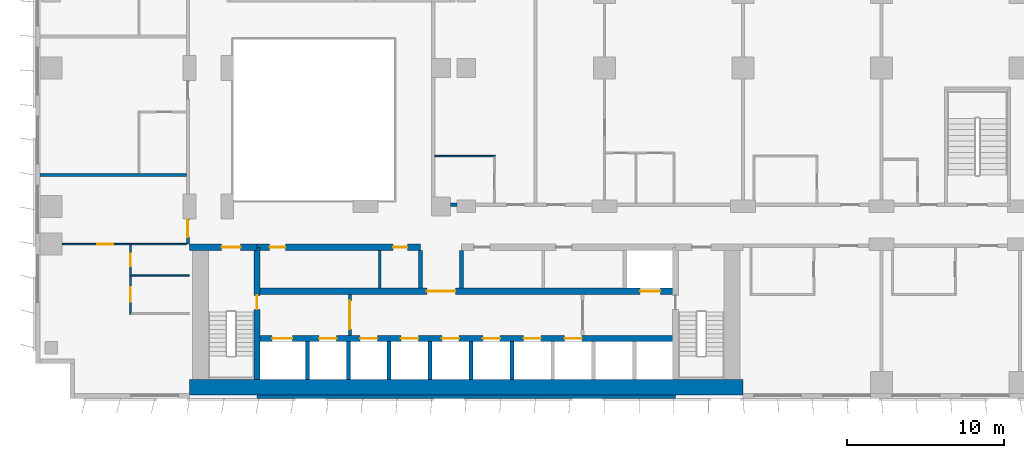
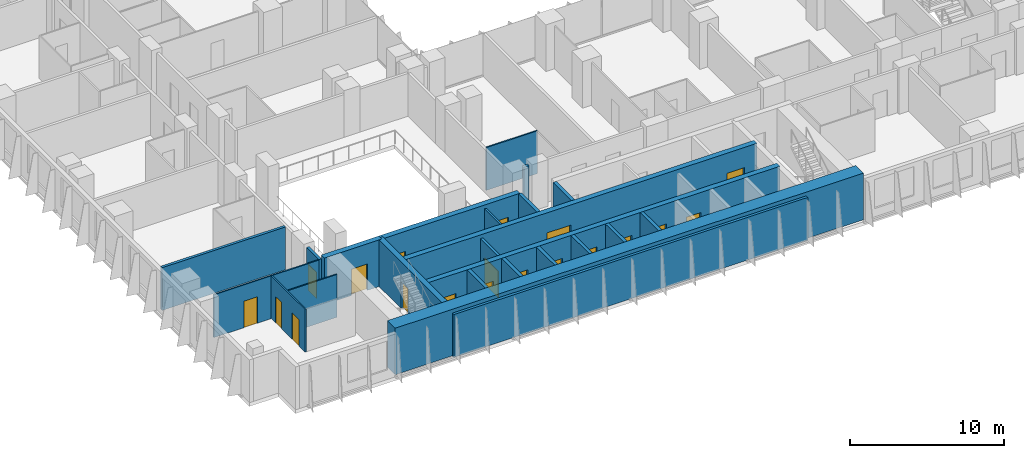
# One storey, part 12 of 24: 24 walls, 19 doors, 19 openings.
"""IFC4 building model written with IfcOpenShell, lengths in metres."""

import ifcopenshell
import ifcopenshell.guid

model = None  # the IFC model being written
_history = None  # IfcOwnerHistory: only IFC2X3 demands one
_inside = {}  # id of a spatial element -> (the spatial element, [elements in it])
_under = {}  # id of a project, library or spatial element -> (it, [spatial elements below it])
_declared = {}  # id of a project -> (the project, [libraries it declares])
_typed = {}  # id of a type object -> (the type object, [elements of that type])
_made_of = {}  # id of a material, layer set ... -> (it, [elements and type objects made of it])


def new_model(schema):
    """Start an empty IFC model of exactly this schema.

    Asked for "IFC4X3", IfcOpenShell would pick the latest addendum, in which some entities
    have other attributes; the version numbers below select the first issue.
    IFC2X3 requires an IfcOwnerHistory on every rooted entity: one is made here for all.
    """
    global model, _history
    if schema == "IFC4X3":
        model = ifcopenshell.file(schema_version=(4, 3, 0, 0))
    else:
        model = ifcopenshell.file(schema=schema)
    _inside.clear()
    _under.clear()
    _declared.clear()
    _typed.clear()
    _made_of.clear()
    _history = None
    if model.schema == "IFC2X3":
        org = make("IfcOrganization", Name="unknown")
        user = make(
            "IfcPersonAndOrganization",
            ThePerson=make("IfcPerson", FamilyName="unknown"),
            TheOrganization=org,
        )
        app = make(
            "IfcApplication",
            ApplicationDeveloper=org,
            Version="unknown",
            ApplicationFullName="unknown",
            ApplicationIdentifier="unknown",
        )
        _history = make(
            "IfcOwnerHistory",
            OwningUser=user,
            OwningApplication=app,
            ChangeAction="ADDED",
            CreationDate=0,
        )
    return model


def make(cls, **values):
    """One entity of the class cls with the attributes given. An attribute that is None is left unset."""
    return model.create_entity(
        cls, **{name: value for name, value in values.items() if value is not None}
    )


def rooted(cls, **values):
    """An entity with a GlobalId (a new one), such as an element, a storey or a relation."""
    return make(cls, GlobalId=ifcopenshell.guid.new(), OwnerHistory=_history, **values)


def si_unit(unit_type, name, prefix=None):
    """IfcSIUnit, for example si_unit("LENGTHUNIT", "METRE", prefix="MILLI")."""
    return make("IfcSIUnit", UnitType=unit_type, Prefix=prefix, Name=name)


def assignment(units):
    """IfcUnitAssignment: the units of a project."""
    return None if units is None else make("IfcUnitAssignment", Units=units)


def point(xyz):
    """IfcCartesianPoint."""
    return None if xyz is None else make("IfcCartesianPoint", Coordinates=xyz)


def direction(xyz):
    """IfcDirection."""
    return None if xyz is None else make("IfcDirection", DirectionRatios=xyz)


def frame(location, z_axis=None, x_axis=None):
    """IfcAxis2Placement3D, a coordinate frame: its origin and axes. An axis left out is left unset."""
    return make(
        "IfcAxis2Placement3D",
        Location=point(location),
        Axis=direction(z_axis),
        RefDirection=direction(x_axis),
    )


def frame_2d(location, x_axis=None):
    """IfcAxis2Placement2D, a coordinate frame in the plane: its origin and x axis."""
    return make(
        "IfcAxis2Placement2D", Location=point(location), RefDirection=direction(x_axis)
    )


def origin():
    """The frame at (0, 0, 0) with its axes left unset."""
    return frame((0.0, 0.0, 0.0))


def place(relative_to, where):
    """IfcLocalPlacement: puts the frame where relative to a parent placement (None: the world)."""
    return make(
        "IfcLocalPlacement", PlacementRelTo=relative_to, RelativePlacement=where
    )


def context(
    kind, dimensions, precision=None, world=None, true_north=None, identifier=None
):
    """IfcGeometricRepresentationContext, for example the 3D "Model" context."""
    return make(
        "IfcGeometricRepresentationContext",
        ContextIdentifier=identifier,
        ContextType=kind,
        CoordinateSpaceDimension=dimensions,
        Precision=precision,
        WorldCoordinateSystem=world,
        TrueNorth=true_north,
    )


def subcontext(parent, identifier, kind, view, scale=None):
    """IfcGeometricRepresentationSubContext, for example "Body" below "Model"."""
    return make(
        "IfcGeometricRepresentationSubContext",
        ContextIdentifier=identifier,
        ContextType=kind,
        ParentContext=parent,
        TargetScale=scale,
        TargetView=view,
    )


def project(units=None, contexts=None):
    """IfcProject with its units and contexts."""
    return rooted(
        "IfcProject",
        Name="project",
        RepresentationContexts=contexts,
        UnitsInContext=assignment(units),
    )


def spatial(cls, under=None, at=None, **own):
    """A site, building, storey or space (cls), placed at a placement, below another one or the project."""
    s = rooted(cls, ObjectPlacement=at, **own)
    if under is not None:
        _under.setdefault(under.id(), (under, []))[1].append(s)
    return s


def profile(cls, at=None, kind="AREA", **sizes):
    """A parametric profile (cls). Its sizes go by their IFC names, for example OverallWidth=200.0."""
    return make(cls, ProfileType=kind, Position=at, **sizes)


def rectangle(**sizes):
    """IfcRectangleProfileDef."""
    return profile("IfcRectangleProfileDef", **sizes)


def extrude(swept, where, along, depth):
    """IfcExtrudedAreaSolid: the profile swept, set in the frame where, extruded along a direction by depth."""
    return make(
        "IfcExtrudedAreaSolid",
        SweptArea=swept,
        Position=where,
        ExtrudedDirection=direction(along),
        Depth=depth,
    )


def shape(context_of_items, identifier, shape_type, items):
    """IfcShapeRepresentation: the items that make up one representation, for example the "Body"."""
    return make(
        "IfcShapeRepresentation",
        ContextOfItems=context_of_items,
        RepresentationIdentifier=identifier,
        RepresentationType=shape_type,
        Items=items,
    )


def material(Name=None, Category=None):
    """IfcMaterial."""
    return make("IfcMaterial", Name=Name, Category=Category)


def layer(
    of_material, thickness, ventilated=None, Name=None, Category=None, Priority=None
):
    """IfcMaterialLayer: one layer of a wall or slab, of a material (None: an air gap)."""
    return make(
        "IfcMaterialLayer",
        Material=of_material,
        LayerThickness=thickness,
        IsVentilated=ventilated,
        Name=Name,
        Category=Category,
        Priority=Priority,
    )


def layer_set(layers, Name=None):
    """IfcMaterialLayerSet."""
    return make("IfcMaterialLayerSet", MaterialLayers=layers, LayerSetName=Name)


def made_of(thing, what):
    """Note that an element or type object is made of a material, layer set ...; save() writes the relation."""
    if what is not None:
        _made_of.setdefault(what.id(), (what, []))[1].append(thing)
    return thing


def type_object(cls, material=None, **own):
    """A type object (cls), such as IfcWallType, which elements share."""
    return made_of(rooted(cls, **own), material)


def element(
    cls,
    number,
    at=None,
    inside=None,
    cuts=None,
    type_object=None,
    material=None,
    context=None,
    identifier="Body",
    shape_type=None,
    held_by="IfcProductDefinitionShape",
    body=None,
    shapes=None,
    **own,
):
    """One element of the class cls, such as IfcWall. Its Tag is "e" and its number.

    at: its placement. inside: the storey or other place that contains it. cuts: it is an
    opening in that element (IfcRelVoidsElement). A single representation is given by context,
    identifier, shape_type and body (its items); several are given by shapes. held_by: the class
    of the entity that holds the representations. save() writes the other relations.
    """
    e = rooted(cls, Tag="e%d" % number, ObjectPlacement=at, **own)
    if body is not None:
        shapes = [shape(context, identifier, shape_type, body)]
    if shapes is not None:
        e.Representation = make(held_by, Representations=shapes)
    if inside is not None:
        _inside.setdefault(inside.id(), (inside, []))[1].append(e)
    if cuts is not None:
        rooted(
            "IfcRelVoidsElement", RelatingBuildingElement=cuts, RelatedOpeningElement=e
        )
    if type_object is not None:
        _typed.setdefault(type_object.id(), (type_object, []))[1].append(e)
    return made_of(e, material)


def fill(opening, filler):
    """IfcRelFillsElement: the door or window that sits in an opening."""
    return rooted(
        "IfcRelFillsElement",
        RelatingOpeningElement=opening,
        RelatedBuildingElement=filler,
    )


def aggregate(whole, parts):
    """IfcRelAggregates: a whole, such as a stair, and the parts it consists of."""
    return rooted("IfcRelAggregates", RelatingObject=whole, RelatedObjects=parts)


def save(model, path):
    """Write the relations noted so far, then the file.

    IfcRelAggregates (storeys below a building ...), IfcRelContainedInSpatialStructure (elements
    in a storey), IfcRelDefinesByType, IfcRelAssociatesMaterial and IfcRelDeclares: one each for
    every whole, place, type object, material and project.
    """
    for whole, parts in _under.values():
        aggregate(whole, parts)
    for where, things in _inside.values():
        rooted(
            "IfcRelContainedInSpatialStructure",
            RelatedElements=things,
            RelatingStructure=where,
        )
    for kind, things in _typed.values():
        rooted("IfcRelDefinesByType", RelatedObjects=things, RelatingType=kind)
    for what, things in _made_of.values():
        rooted("IfcRelAssociatesMaterial", RelatedObjects=things, RelatingMaterial=what)
    for by, libraries in _declared.values():
        rooted("IfcRelDeclares", RelatingContext=by, RelatedDefinitions=libraries)
    model.write(path)


model = new_model("IFC4")

# Units and contexts
model_context = context("Model", 3, precision=1e-05, world=origin(), true_north=direction((0.0, 1.0)))
body_context = subcontext(model_context, "Body", "Model", "MODEL_VIEW")
ifc_project = project(units=[si_unit("LENGTHUNIT", "METRE"), si_unit("AREAUNIT", "SQUARE_METRE"), si_unit("VOLUMEUNIT", "CUBIC_METRE"), si_unit("PLANEANGLEUNIT", "RADIAN"), si_unit("MASSUNIT", "GRAM", prefix="KILO")], contexts=[model_context])

# Site, building, storey
site_placement = place(None, origin())
site = spatial("IfcSite", under=ifc_project, at=site_placement, CompositionType="ELEMENT")
building_placement = place(site_placement, origin())
building = spatial("IfcBuilding", under=site, at=building_placement, Name="Kemantara Hotel Tower", CompositionType="ELEMENT")
storey_placement = place(building_placement, frame((0.0, 0.0, 41.39990234375)))
storey = spatial("IfcBuildingStorey", under=building, at=storey_placement, Name="L08", CompositionType="ELEMENT", Elevation=41.39990234375)

# Walls
ifc_material_1 = material(Name="Bronze anodised aluminium cladding on insulated steel stud wall", Category="steel")
ifc_layer_1 = layer(ifc_material_1, 0.199951171875)
ifc_layer_set_1 = layer_set([ifc_layer_1], Name="Bronze anodised aluminium cladding on insulated steel stud wall")
wall_type_1 = type_object("IfcWallType", Name="BRONZE METAL-CLAD EXTERNAL WALL 200", PredefinedType="STANDARD", material=ifc_layer_set_1)
wall_1_placement = place(storey_placement, frame((14.10009765625, 0.10009765625, 0.0), z_axis=(0.0, 0.0, 1.0), x_axis=(1.0, 0.0, 0.0)))
element("IfcWall", 1, at=wall_1_placement, inside=storey, type_object=wall_type_1, Name="EXTERNAL WALL L08 T1-R01-2", PredefinedType="STANDARD", context=body_context, shape_type="SweptSolid", body=[
    extrude(rectangle(XDim=26.599853515625, YDim=0.199951171875, at=frame_2d((13.2998046875, 0.0))), origin(), (0.0, 0.0, 1.0), 3.400146484375),
])
ifc_material_2 = material(Name="Concrete fc 70 MPa", Category="concrete")
ifc_layer_2 = layer(ifc_material_2, 1.0)
ifc_layer_set_2 = layer_set([ifc_layer_2], Name="Concrete fc 70 MPa")
wall_type_2 = type_object("IfcWallType", Name="CORE WALL 1000 FC70", PredefinedType="SHEAR", material=ifc_layer_set_2)
wall_2_placement = place(storey_placement, frame((9.800048828125, 0.699951171875, 0.0), z_axis=(0.0, 0.0, 1.0), x_axis=(1.0, 0.0, 0.0)))
element("IfcWall", 2, at=wall_2_placement, inside=storey, type_object=wall_type_2, Name="CORE WALL CW-S", PredefinedType="SHEAR", context=body_context, shape_type="SweptSolid", body=[
    extrude(rectangle(XDim=35.199951171875, YDim=1.0, at=frame_2d((17.60009765625, 0.0))), origin(), (0.0, 0.0, 1.0), 3.7001953125),
])
ifc_layer_3 = layer(ifc_material_2, 0.25)
ifc_layer_set_3 = layer_set([ifc_layer_3], Name="Concrete fc 70 MPa")
wall_type_3 = type_object("IfcWallType", Name="CORE WALL 250 FC70", PredefinedType="SHEAR", material=ifc_layer_set_3)
for number, where, z_axis, x_axis, name in (
    (3, (17.300048828125, 1.199951171875, 0.0), (0.0, 0.0, 1.0), (0.0, 1.0, 0.0), "CORE WALL CW-DS17.3"),
    (4, (19.89990234375, 1.199951171875, 0.0), (0.0, 0.0, 1.0), (0.0, 1.0, 0.0), "CORE WALL CW-DS19.9"),
    (5, (22.5, 1.199951171875, 0.0), (0.0, 0.0, 1.0), (0.0, 1.0, 0.0), "CORE WALL CW-DS22.5"),
    (6, (25.10009765625, 1.199951171875, 0.0), (0.0, 0.0, 1.0), (0.0, 1.0, 0.0), "CORE WALL CW-DS25.1"),
    (7, (27.699951171875, 1.199951171875, 0.0), (0.0, 0.0, 1.0), (0.0, 1.0, 0.0), "CORE WALL CW-DS27.7"),
    (8, (30.300048828125, 1.199951171875, 0.0), (0.0, 0.0, 1.0), (0.0, 1.0, 0.0), "CORE WALL CW-DS30.3"),
):
    element("IfcWall", number, at=place(storey_placement, frame(where, z_axis=z_axis, x_axis=x_axis)), inside=storey, type_object=wall_type_3, Name=name, PredefinedType="SHEAR", context=body_context, shape_type="SweptSolid", body=[
        extrude(rectangle(XDim=2.400146484375, YDim=0.25, at=frame_2d((1.2001953125, 0.0))), origin(), (0.0, 0.0, 1.0), 3.7001953125),
    ])
for number, where, z_axis, x_axis, name in (
    (9, (24.5, 7.0, 0.0), (0.0, 0.0, 1.0), (0.0, 1.0, 0.0), "CORE WALL CW-DN24.5"),
    (10, (27.10009765625, 7.0, 0.0), (0.0, 0.0, 1.0), (0.0, 1.0, 0.0), "CORE WALL CW-DN27.1"),
):
    element("IfcWall", number, at=place(storey_placement, frame(where, z_axis=z_axis, x_axis=x_axis)), inside=storey, type_object=wall_type_3, Name=name, PredefinedType="SHEAR", context=body_context, shape_type="SweptSolid", body=[
        extrude(rectangle(XDim=2.39990234375, YDim=0.25, at=frame_2d((1.199951171875, 0.0))), origin(), (0.0, 0.0, 1.0), 3.7001953125),
    ])

# Wall, opening, door
ifc_layer_4 = layer(ifc_material_2, 0.39990234375)
ifc_layer_set_4 = layer_set([ifc_layer_4], Name="Concrete fc 70 MPa")
wall_type_4 = type_object("IfcWallType", Name="CORE WALL 400 FC70", PredefinedType="SHEAR", material=ifc_layer_set_4)
wall_3_placement = place(storey_placement, frame((9.800048828125, 9.60009765625, 0.0), z_axis=(0.0, 0.0, 1.0), x_axis=(1.0, 0.0, 0.0)))
wall_3 = element("IfcWall", 11, at=wall_3_placement, inside=storey, type_object=wall_type_4, Name="CORE WALL CW-N1", PredefinedType="SHEAR", context=body_context, shape_type="SweptSolid", body=[
    extrude(rectangle(XDim=4.300048828125, YDim=0.39990234375, at=frame_2d((2.14990234375, 0.0))), origin(), (0.0, 0.0, 1.0), 3.7001953125),
])
opening_1_placement = place(wall_3_placement, frame((2.050048828125, 0.0, 0.0)))
opening_1 = element("IfcOpeningElement", 12, at=opening_1_placement, cuts=wall_3, Name="Opening C08-ST1-C", PredefinedType="OPENING", context=body_context, shape_type="SweptSolid", body=[
    extrude(rectangle(XDim=1.199951171875, YDim=2.10009765625, at=frame_2d((0.60009765625, 1.050048828125))), frame((0.0, 0.2099609375, 0.0), z_axis=(0.0, -1.0, 0.0), x_axis=(1.0, 0.0, 0.0)), (0.0, 0.0, 1.0), 0.419921875),
])
ifc_material_3 = material(Name="Steel fire door", Category="steel")
door_type_1 = type_object("IfcDoorType", Name="Fire door FD90 1200 x 2100", OperationType="NOTDEFINED", PredefinedType="DOOR", material=ifc_material_3)
door_1_placement = place(opening_1_placement, frame((1.199951171875, 0.0, 0.0), z_axis=(0.0, 0.0, 1.0), x_axis=(-1.0, 0.0, 0.0)))
door_1 = element("IfcDoor", 13, at=door_1_placement, inside=storey, type_object=door_type_1, Name="Stair ST1 door to corridor", OperationType="SINGLE_SWING_LEFT", OverallHeight=2.10009765625, OverallWidth=1.199951171875, PredefinedType="DOOR", context=body_context, shape_type="SweptSolid", body=[
    extrude(rectangle(XDim=1.199951171875, YDim=2.10009765625, at=frame_2d((0.60009765625, 1.050048828125))), frame((0.0, 0.02490234375, 0.0), z_axis=(0.0, -1.0, 0.0), x_axis=(1.0, 0.0, 0.0)), (0.0, 0.0, 1.0), 0.050048828125),
])
fill(opening_1, door_1)

# Wall, openings, doors
wall_4_placement = place(storey_placement, frame((14.10009765625, 9.60009765625, 0.0), z_axis=(0.0, 0.0, 1.0), x_axis=(1.0, 0.0, 0.0)))
wall_4 = element("IfcWall", 14, at=wall_4_placement, inside=storey, type_object=wall_type_4, Name="CORE WALL CW-NN1", PredefinedType="SHEAR", context=body_context, shape_type="SweptSolid", body=[
    extrude(rectangle(XDim=10.39990234375, YDim=0.39990234375, at=frame_2d((5.199951171875, 0.0))), origin(), (0.0, 0.0, 1.0), 3.7001953125),
])
opening_2_placement = place(wall_4_placement, frame((0.800048828125, 0.0, 0.0)))
opening_2 = element("IfcOpeningElement", 15, at=opening_2_placement, cuts=wall_4, Name="Opening C08-R-NW1", PredefinedType="OPENING", context=body_context, shape_type="SweptSolid", body=[
    extrude(rectangle(XDim=1.0, YDim=2.10009765625, at=frame_2d((0.5, 1.050048828125))), frame((0.0, 0.2099609375, 0.0), z_axis=(0.0, -1.0, 0.0), x_axis=(1.0, 0.0, 0.0)), (0.0, 0.0, 1.0), 0.419921875),
])
opening_3_placement = place(wall_4_placement, frame((8.64990234375, 0.0, 0.0)))
opening_3 = element("IfcOpeningElement", 16, at=opening_3_placement, cuts=wall_4, Name="Opening C08-R-NW2", PredefinedType="OPENING", context=body_context, shape_type="SweptSolid", body=[
    extrude(rectangle(XDim=0.89990234375, YDim=2.10009765625, at=frame_2d((0.449951171875, 1.050048828125))), frame((0.0, 0.2099609375, 0.0), z_axis=(0.0, -1.0, 0.0), x_axis=(1.0, 0.0, 0.0)), (0.0, 0.0, 1.0), 0.419921875),
])
door_type_2 = type_object("IfcDoorType", Name="Fire door FD30S 1000 x 2100", OperationType="NOTDEFINED", PredefinedType="DOOR", material=ifc_material_3)
door_2_placement = place(opening_2_placement, frame((1.0, 0.0, 0.0), z_axis=(0.0, 0.0, 1.0), x_axis=(-1.0, 0.0, 0.0)))
door_2 = element("IfcDoor", 17, at=door_2_placement, inside=storey, type_object=door_type_2, Name="Linen Store door", OperationType="SINGLE_SWING_RIGHT", OverallHeight=2.10009765625, OverallWidth=1.0, PredefinedType="DOOR", context=body_context, shape_type="SweptSolid", body=[
    extrude(rectangle(XDim=1.0, YDim=2.10009765625, at=frame_2d((0.5, 1.050048828125))), frame((0.0, 0.02490234375, 0.0), z_axis=(0.0, -1.0, 0.0), x_axis=(1.0, 0.0, 0.0)), (0.0, 0.0, 1.0), 0.050048828125),
])
fill(opening_2, door_2)
door_type_3 = type_object("IfcDoorType", Name="Fire door FD60 900 x 2100", OperationType="NOTDEFINED", PredefinedType="DOOR", material=ifc_material_3)
door_3_placement = place(opening_3_placement, frame((0.89990234375, 0.0, 0.0), z_axis=(0.0, 0.0, 1.0), x_axis=(-1.0, 0.0, 0.0)))
door_3 = element("IfcDoor", 18, at=door_3_placement, inside=storey, type_object=door_type_3, Name="It Equipment Room door", OperationType="SINGLE_SWING_LEFT", OverallHeight=2.10009765625, OverallWidth=0.89990234375, PredefinedType="DOOR", context=body_context, shape_type="SweptSolid", body=[
    extrude(rectangle(XDim=0.89990234375, YDim=2.10009765625, at=frame_2d((0.449951171875, 1.050048828125))), frame((0.0, 0.02490234375, 0.0), z_axis=(0.0, -1.0, 0.0), x_axis=(1.0, 0.0, 0.0)), (0.0, 0.0, 1.0), 0.050048828125),
])
fill(opening_3, door_3)

wall_5_placement = place(storey_placement, frame((14.10009765625, 3.800048828125, 0.0), z_axis=(0.0, 0.0, 1.0), x_axis=(1.0, 0.0, 0.0)))
wall_5 = element("IfcWall", 19, at=wall_5_placement, inside=storey, type_object=wall_type_4, Name="CORE WALL CW-L1", PredefinedType="SHEAR", context=body_context, shape_type="SweptSolid", body=[
    extrude(rectangle(XDim=26.599853515625, YDim=0.39990234375, at=frame_2d((13.2998046875, 0.0))), origin(), (0.0, 0.0, 1.0), 3.7001953125),
])
opening_4_placement = place(wall_5_placement, frame((0.949951171875, 0.0, 0.0)))
opening_4 = element("IfcOpeningElement", 20, at=opening_4_placement, cuts=wall_5, Name="Opening C08-LD-FF1", PredefinedType="OPENING", context=body_context, shape_type="SweptSolid", body=[
    extrude(rectangle(XDim=1.300048828125, YDim=2.10009765625, at=frame_2d((0.64990234375, 1.050048828125))), frame((0.0, 0.2099609375, 0.0), z_axis=(0.0, -1.0, 0.0), x_axis=(1.0, 0.0, 0.0)), (0.0, 0.0, 1.0), 0.419921875),
])
opening_5_placement = place(wall_5_placement, frame((3.949951171875, 0.0, 0.0)))
opening_5 = element("IfcOpeningElement", 21, at=opening_5_placement, cuts=wall_5, Name="Opening C08-LD-SV1", PredefinedType="OPENING", context=body_context, shape_type="SweptSolid", body=[
    extrude(rectangle(XDim=1.10009765625, YDim=2.10009765625, at=frame_2d((0.550048828125, 1.050048828125))), frame((0.0, 0.2099609375, 0.0), z_axis=(0.0, -1.0, 0.0), x_axis=(1.0, 0.0, 0.0)), (0.0, 0.0, 1.0), 0.419921875),
])
opening_6_placement = place(wall_5_placement, frame((6.550048828125, 0.0, 0.0)))
opening_6 = element("IfcOpeningElement", 22, at=opening_6_placement, cuts=wall_5, Name="Opening C08-LD-SV2", PredefinedType="OPENING", context=body_context, shape_type="SweptSolid", body=[
    extrude(rectangle(XDim=1.10009765625, YDim=2.10009765625, at=frame_2d((0.550048828125, 1.050048828125))), frame((0.0, 0.2099609375, 0.0), z_axis=(0.0, -1.0, 0.0), x_axis=(1.0, 0.0, 0.0)), (0.0, 0.0, 1.0), 0.419921875),
])
opening_7_placement = place(wall_5_placement, frame((9.14990234375, 0.0, 0.0)))
opening_7 = element("IfcOpeningElement", 23, at=opening_7_placement, cuts=wall_5, Name="Opening C08-LD-SV3", PredefinedType="OPENING", context=body_context, shape_type="SweptSolid", body=[
    extrude(rectangle(XDim=1.10009765625, YDim=2.10009765625, at=frame_2d((0.550048828125, 1.050048828125))), frame((0.0, 0.2099609375, 0.0), z_axis=(0.0, -1.0, 0.0), x_axis=(1.0, 0.0, 0.0)), (0.0, 0.0, 1.0), 0.419921875),
])
opening_8_placement = place(wall_5_placement, frame((11.75, 0.0, 0.0)))
opening_8 = element("IfcOpeningElement", 24, at=opening_8_placement, cuts=wall_5, Name="Opening C08-LD-LR1", PredefinedType="OPENING", context=body_context, shape_type="SweptSolid", body=[
    extrude(rectangle(XDim=1.10009765625, YDim=2.10009765625, at=frame_2d((0.550048828125, 1.050048828125))), frame((0.0, 0.2099609375, 0.0), z_axis=(0.0, -1.0, 0.0), x_axis=(1.0, 0.0, 0.0)), (0.0, 0.0, 1.0), 0.419921875),
])
opening_9_placement = place(wall_5_placement, frame((14.35009765625, 0.0, 0.0)))
opening_9 = element("IfcOpeningElement", 25, at=opening_9_placement, cuts=wall_5, Name="Opening C08-LD-LR2", PredefinedType="OPENING", context=body_context, shape_type="SweptSolid", body=[
    extrude(rectangle(XDim=1.10009765625, YDim=2.10009765625, at=frame_2d((0.550048828125, 1.050048828125))), frame((0.0, 0.2099609375, 0.0), z_axis=(0.0, -1.0, 0.0), x_axis=(1.0, 0.0, 0.0)), (0.0, 0.0, 1.0), 0.419921875),
])
opening_10_placement = place(wall_5_placement, frame((16.949951171875, 0.0, 0.0)))
opening_10 = element("IfcOpeningElement", 26, at=opening_10_placement, cuts=wall_5, Name="Opening C08-LD-LR3", PredefinedType="OPENING", context=body_context, shape_type="SweptSolid", body=[
    extrude(rectangle(XDim=1.10009765625, YDim=2.10009765625, at=frame_2d((0.550048828125, 1.050048828125))), frame((0.0, 0.2099609375, 0.0), z_axis=(0.0, -1.0, 0.0), x_axis=(1.0, 0.0, 0.0)), (0.0, 0.0, 1.0), 0.419921875),
])
opening_11_placement = place(wall_5_placement, frame((19.550048828125, 0.0, 0.0)))
opening_11 = element("IfcOpeningElement", 27, at=opening_11_placement, cuts=wall_5, Name="Opening C08-LD-LR4", PredefinedType="OPENING", context=body_context, shape_type="SweptSolid", body=[
    extrude(rectangle(XDim=1.10009765625, YDim=2.10009765625, at=frame_2d((0.550048828125, 1.050048828125))), frame((0.0, 0.2099609375, 0.0), z_axis=(0.0, -1.0, 0.0), x_axis=(1.0, 0.0, 0.0)), (0.0, 0.0, 1.0), 0.419921875),
])
ifc_material_4 = material(Name="Stainless steel lift door", Category="steel")
door_type_4 = type_object("IfcDoorType", Name="Lift landing door 1100 x 2100 FD60", OperationType="DOUBLE_DOOR_SLIDING", PredefinedType="DOOR", material=ifc_material_4)
door_4_placement = place(opening_5_placement, origin())
door_4 = element("IfcDoor", 28, at=door_4_placement, inside=storey, type_object=door_type_4, Name="Lift SV1 landing door", OperationType="DOUBLE_DOOR_SLIDING", OverallHeight=2.10009765625, OverallWidth=1.10009765625, PredefinedType="DOOR", context=body_context, shape_type="SweptSolid", body=[
    extrude(rectangle(XDim=1.10009765625, YDim=2.10009765625, at=frame_2d((0.550048828125, 1.050048828125))), frame((0.0, 0.02490234375, 0.0), z_axis=(0.0, -1.0, 0.0), x_axis=(1.0, 0.0, 0.0)), (0.0, 0.0, 1.0), 0.050048828125),
])
fill(opening_5, door_4)
door_5_placement = place(opening_6_placement, origin())
door_5 = element("IfcDoor", 29, at=door_5_placement, inside=storey, type_object=door_type_4, Name="Lift SV2 landing door", OperationType="DOUBLE_DOOR_SLIDING", OverallHeight=2.10009765625, OverallWidth=1.10009765625, PredefinedType="DOOR", context=body_context, shape_type="SweptSolid", body=[
    extrude(rectangle(XDim=1.10009765625, YDim=2.10009765625, at=frame_2d((0.550048828125, 1.050048828125))), frame((0.0, 0.02490234375, 0.0), z_axis=(0.0, -1.0, 0.0), x_axis=(1.0, 0.0, 0.0)), (0.0, 0.0, 1.0), 0.050048828125),
])
fill(opening_6, door_5)
door_6_placement = place(opening_7_placement, origin())
door_6 = element("IfcDoor", 30, at=door_6_placement, inside=storey, type_object=door_type_4, Name="Lift SV3 landing door", OperationType="DOUBLE_DOOR_SLIDING", OverallHeight=2.10009765625, OverallWidth=1.10009765625, PredefinedType="DOOR", context=body_context, shape_type="SweptSolid", body=[
    extrude(rectangle(XDim=1.10009765625, YDim=2.10009765625, at=frame_2d((0.550048828125, 1.050048828125))), frame((0.0, 0.02490234375, 0.0), z_axis=(0.0, -1.0, 0.0), x_axis=(1.0, 0.0, 0.0)), (0.0, 0.0, 1.0), 0.050048828125),
])
fill(opening_7, door_6)
door_7_placement = place(opening_8_placement, origin())
door_7 = element("IfcDoor", 31, at=door_7_placement, inside=storey, type_object=door_type_4, Name="Lift LR1 landing door", OperationType="DOUBLE_DOOR_SLIDING", OverallHeight=2.10009765625, OverallWidth=1.10009765625, PredefinedType="DOOR", context=body_context, shape_type="SweptSolid", body=[
    extrude(rectangle(XDim=1.10009765625, YDim=2.10009765625, at=frame_2d((0.550048828125, 1.050048828125))), frame((0.0, 0.02490234375, 0.0), z_axis=(0.0, -1.0, 0.0), x_axis=(1.0, 0.0, 0.0)), (0.0, 0.0, 1.0), 0.050048828125),
])
fill(opening_8, door_7)
door_8_placement = place(opening_9_placement, origin())
door_8 = element("IfcDoor", 32, at=door_8_placement, inside=storey, type_object=door_type_4, Name="Lift LR2 landing door", OperationType="DOUBLE_DOOR_SLIDING", OverallHeight=2.10009765625, OverallWidth=1.10009765625, PredefinedType="DOOR", context=body_context, shape_type="SweptSolid", body=[
    extrude(rectangle(XDim=1.10009765625, YDim=2.10009765625, at=frame_2d((0.550048828125, 1.050048828125))), frame((0.0, 0.02490234375, 0.0), z_axis=(0.0, -1.0, 0.0), x_axis=(1.0, 0.0, 0.0)), (0.0, 0.0, 1.0), 0.050048828125),
])
fill(opening_9, door_8)
door_9_placement = place(opening_10_placement, origin())
door_9 = element("IfcDoor", 33, at=door_9_placement, inside=storey, type_object=door_type_4, Name="Lift LR3 landing door", OperationType="DOUBLE_DOOR_SLIDING", OverallHeight=2.10009765625, OverallWidth=1.10009765625, PredefinedType="DOOR", context=body_context, shape_type="SweptSolid", body=[
    extrude(rectangle(XDim=1.10009765625, YDim=2.10009765625, at=frame_2d((0.550048828125, 1.050048828125))), frame((0.0, 0.02490234375, 0.0), z_axis=(0.0, -1.0, 0.0), x_axis=(1.0, 0.0, 0.0)), (0.0, 0.0, 1.0), 0.050048828125),
])
fill(opening_10, door_9)
door_10_placement = place(opening_11_placement, origin())
door_10 = element("IfcDoor", 34, at=door_10_placement, inside=storey, type_object=door_type_4, Name="Lift LR4 landing door", OperationType="DOUBLE_DOOR_SLIDING", OverallHeight=2.10009765625, OverallWidth=1.10009765625, PredefinedType="DOOR", context=body_context, shape_type="SweptSolid", body=[
    extrude(rectangle(XDim=1.10009765625, YDim=2.10009765625, at=frame_2d((0.550048828125, 1.050048828125))), frame((0.0, 0.02490234375, 0.0), z_axis=(0.0, -1.0, 0.0), x_axis=(1.0, 0.0, 0.0)), (0.0, 0.0, 1.0), 0.050048828125),
])
fill(opening_11, door_10)
door_type_5 = type_object("IfcDoorType", Name="Lift landing door 1300 x 2100 FD90", OperationType="DOUBLE_DOOR_SLIDING", PredefinedType="DOOR", material=ifc_material_4)
door_11_placement = place(opening_4_placement, origin())
door_11 = element("IfcDoor", 35, at=door_11_placement, inside=storey, type_object=door_type_5, Name="Lift FF1 landing door", OperationType="DOUBLE_DOOR_SLIDING", OverallHeight=2.10009765625, OverallWidth=1.300048828125, PredefinedType="DOOR", context=body_context, shape_type="SweptSolid", body=[
    extrude(rectangle(XDim=1.300048828125, YDim=2.10009765625, at=frame_2d((0.64990234375, 1.050048828125))), frame((0.0, 0.02490234375, 0.0), z_axis=(0.0, -1.0, 0.0), x_axis=(1.0, 0.0, 0.0)), (0.0, 0.0, 1.0), 0.050048828125),
])
fill(opening_4, door_11)

wall_6_placement = place(storey_placement, frame((14.10009765625, 6.800048828125, 0.0), z_axis=(0.0, 0.0, 1.0), x_axis=(1.0, 0.0, 0.0)))
wall_6 = element("IfcWall", 36, at=wall_6_placement, inside=storey, type_object=wall_type_4, Name="CORE WALL CW-L2", PredefinedType="SHEAR", context=body_context, shape_type="SweptSolid", body=[
    extrude(rectangle(XDim=26.599853515625, YDim=0.39990234375, at=frame_2d((13.2998046875, 0.0))), origin(), (0.0, 0.0, 1.0), 3.7001953125),
])
opening_12_placement = place(wall_6_placement, frame((10.800048828125, 0.0, 0.0)))
opening_12 = element("IfcOpeningElement", 37, at=opening_12_placement, cuts=wall_6, Name="Opening C08-VL", PredefinedType="OPENING", context=body_context, shape_type="SweptSolid", body=[
    extrude(rectangle(XDim=1.800048828125, YDim=2.10009765625, at=frame_2d((0.89990234375, 1.050048828125))), frame((0.0, 0.2099609375, 0.0), z_axis=(0.0, -1.0, 0.0), x_axis=(1.0, 0.0, 0.0)), (0.0, 0.0, 1.0), 0.419921875),
])
opening_13_placement = place(wall_6_placement, frame((24.35009765625, 0.0, 0.0)))
opening_13 = element("IfcOpeningElement", 38, at=opening_13_placement, cuts=wall_6, Name="Opening C08-LD-FF2", PredefinedType="OPENING", context=body_context, shape_type="SweptSolid", body=[
    extrude(rectangle(XDim=1.300048828125, YDim=2.10009765625, at=frame_2d((0.64990234375, 1.050048828125))), frame((0.0, 0.2099609375, 0.0), z_axis=(0.0, -1.0, 0.0), x_axis=(1.0, 0.0, 0.0)), (0.0, 0.0, 1.0), 0.419921875),
])
door_type_6 = type_object("IfcDoorType", Name="Fire door pair FD60 1800 x 2100", OperationType="DOUBLE_DOOR_SINGLE_SWING", PredefinedType="DOOR", material=ifc_material_3)
door_12_placement = place(opening_12_placement, frame((1.800048828125, 0.0, 0.0), z_axis=(0.0, 0.0, 1.0), x_axis=(-1.0, 0.0, 0.0)))
door_12 = element("IfcDoor", 39, at=door_12_placement, inside=storey, type_object=door_type_6, Name="Lift lobby entry door", OperationType="DOUBLE_DOOR_SINGLE_SWING", OverallHeight=2.10009765625, OverallWidth=1.800048828125, PredefinedType="DOOR", context=body_context, shape_type="SweptSolid", body=[
    extrude(rectangle(XDim=1.800048828125, YDim=2.10009765625, at=frame_2d((0.89990234375, 1.050048828125))), frame((0.0, 0.02490234375, 0.0), z_axis=(0.0, -1.0, 0.0), x_axis=(1.0, 0.0, 0.0)), (0.0, 0.0, 1.0), 0.050048828125),
])
fill(opening_12, door_12)
door_13_placement = place(opening_13_placement, origin())
door_13 = element("IfcDoor", 40, at=door_13_placement, inside=storey, type_object=door_type_5, Name="Lift FF2 landing door", OperationType="DOUBLE_DOOR_SLIDING", OverallHeight=2.10009765625, OverallWidth=1.300048828125, PredefinedType="DOOR", context=body_context, shape_type="SweptSolid", body=[
    extrude(rectangle(XDim=1.300048828125, YDim=2.10009765625, at=frame_2d((0.64990234375, 1.050048828125))), frame((0.0, 0.02490234375, 0.0), z_axis=(0.0, -1.0, 0.0), x_axis=(1.0, 0.0, 0.0)), (0.0, 0.0, 1.0), 0.050048828125),
])
fill(opening_13, door_13)

# Wall, opening, door
wall_7_placement = place(storey_placement, frame((14.10009765625, 1.199951171875, 0.0), z_axis=(0.0, 0.0, 1.0), x_axis=(0.0, 1.0, 0.0)))
wall_7 = element("IfcWall", 41, at=wall_7_placement, inside=storey, type_object=wall_type_4, Name="CORE WALL CW-ST1E", PredefinedType="SHEAR", context=body_context, shape_type="SweptSolid", body=[
    extrude(rectangle(XDim=8.400146484375, YDim=0.39990234375, at=frame_2d((4.2001953125, 0.0))), origin(), (0.0, 0.0, 1.0), 3.7001953125),
])
opening_14_placement = place(wall_7_placement, frame((4.449951171875, 0.0, 0.0)))
opening_14 = element("IfcOpeningElement", 42, at=opening_14_placement, cuts=wall_7, Name="Opening C08-ST1-F", PredefinedType="OPENING", context=body_context, shape_type="SweptSolid", body=[
    extrude(rectangle(XDim=0.89990234375, YDim=2.10009765625, at=frame_2d((0.449951171875, 1.050048828125))), frame((0.0, 0.2099609375, 0.0), z_axis=(0.0, -1.0, 0.0), x_axis=(1.0, 0.0, 0.0)), (0.0, 0.0, 1.0), 0.419921875),
])
door_type_7 = type_object("IfcDoorType", Name="Fire door FD90 900 x 2100", OperationType="NOTDEFINED", PredefinedType="DOOR", material=ifc_material_3)
door_14_placement = place(opening_14_placement, origin())
door_14 = element("IfcDoor", 43, at=door_14_placement, inside=storey, type_object=door_type_7, Name="Stair ST1 door to firefighting lobby", OperationType="SINGLE_SWING_RIGHT", OverallHeight=2.10009765625, OverallWidth=0.89990234375, PredefinedType="DOOR", context=body_context, shape_type="SweptSolid", body=[
    extrude(rectangle(XDim=0.89990234375, YDim=2.10009765625, at=frame_2d((0.449951171875, 1.050048828125))), frame((0.0, 0.02490234375, 0.0), z_axis=(0.0, -1.0, 0.0), x_axis=(1.0, 0.0, 0.0)), (0.0, 0.0, 1.0), 0.050048828125),
])
fill(opening_14, door_14)

# Wall
ifc_material_5 = material(Name="Gypsum board partition, steel studs and mineral wool, 200 mm", Category="steel")
ifc_layer_5 = layer(ifc_material_5, 0.199951171875)
ifc_layer_set_5 = layer_set([ifc_layer_5], Name="Gypsum board partition, steel studs and mineral wool, 200 mm")
wall_type_5 = type_object("IfcWallType", Name="CORRIDOR WALL 200", PredefinedType="PARTITIONING", material=ifc_layer_set_5)
wall_8_placement = place(storey_placement, frame((26.400146484375, 12.300048828125, 0.0), z_axis=(0.0, 0.0, 1.0), x_axis=(1.0, 0.0, 0.0)))
element("IfcWall", 44, at=wall_8_placement, inside=storey, type_object=wall_type_5, Name="CORRIDOR WALL 200 011", PredefinedType="PARTITIONING", context=body_context, shape_type="SweptSolid", body=[
    extrude(rectangle(XDim=0.399658203125, YDim=0.199951171875, at=frame_2d((0.19970703125, 0.0))), origin(), (0.0, 0.0, 1.0), 3.400146484375),
])

# Wall, opening, door
wall_9_placement = place(storey_placement, frame((9.699951171875, 9.800048828125, 0.0), z_axis=(0.0, 0.0, 1.0), x_axis=(0.0, 1.0, 0.0)))
wall_9 = element("IfcWall", 45, at=wall_9_placement, inside=storey, type_object=wall_type_5, Name="CORRIDOR WALL 200 024", PredefinedType="PARTITIONING", context=body_context, shape_type="SweptSolid", body=[
    extrude(rectangle(XDim=1.599853515625, YDim=0.199951171875, at=frame_2d((0.7998046875, 0.0))), origin(), (0.0, 0.0, 1.0), 3.400146484375),
])
opening_15_placement = place(wall_9_placement, frame((0.449951171875, 0.0, 0.0)))
opening_15 = element("IfcOpeningElement", 46, at=opening_15_placement, cuts=wall_9, Name="Opening F02-025", PredefinedType="OPENING", context=body_context, shape_type="SweptSolid", body=[
    extrude(rectangle(XDim=1.10009765625, YDim=2.10009765625, at=frame_2d((0.550048828125, 1.050048828125))), frame((0.0, 0.10986328125, 0.0), z_axis=(0.0, -1.0, 0.0), x_axis=(1.0, 0.0, 0.0)), (0.0, 0.0, 1.0), 0.219970703125),
])
ifc_material_6 = material(Name="Hardwood veneer door leaf with steel frame", Category="steel")
door_type_8 = type_object("IfcDoorType", Name="SUITE ENTRANCE DOOR 1100 X 2100 FD30S", OperationType="NOTDEFINED", PredefinedType="DOOR", material=ifc_material_6)
door_15_placement = place(opening_15_placement, origin())
door_15 = element("IfcDoor", 47, at=door_15_placement, inside=storey, type_object=door_type_8, Name="SUITE ENTRANCE DOOR F02-025", OperationType="SINGLE_SWING_RIGHT", OverallHeight=2.10009765625, OverallWidth=1.10009765625, PredefinedType="DOOR", context=body_context, shape_type="SweptSolid", body=[
    extrude(rectangle(XDim=1.10009765625, YDim=2.10009765625, at=frame_2d((0.550048828125, 1.050048828125))), frame((0.0, 0.02490234375, 0.0), z_axis=(0.0, -1.0, 0.0), x_axis=(1.0, 0.0, 0.0)), (0.0, 0.0, 1.0), 0.050048828125),
])
fill(opening_15, door_15)

# Walls
ifc_layer_6 = layer(ifc_material_5, 0.199951171875)
ifc_layer_set_6 = layer_set([ifc_layer_6], Name="Gypsum board partition, steel studs and mineral wool, 200 mm")
wall_type_6 = type_object("IfcWallType", Name="GUEST ROOM PARTY WALL 200", PredefinedType="PARTITIONING", material=ifc_layer_set_6)
wall_10_placement = place(storey_placement, frame((0.31005859375, 14.199951171875, 0.0), z_axis=(0.0, 0.0, 1.0), x_axis=(1.0, 0.0, 0.0)))
element("IfcWall", 48, at=wall_10_placement, inside=storey, type_object=wall_type_6, Name="GUEST ROOM PARTY WALL 200 033", PredefinedType="PARTITIONING", context=body_context, shape_type="SweptSolid", body=[
    extrude(rectangle(XDim=9.2900390625, YDim=0.199951171875, at=frame_2d((4.64501953125, 0.0))), origin(), (0.0, 0.0, 1.0), 3.400146484375),
])
ifc_material_7 = material(Name="Gypsum board partition")
ifc_layer_7 = layer(ifc_material_7, 0.14990234375)
ifc_layer_set_7 = layer_set([ifc_layer_7], Name="Gypsum board partition")
wall_type_7 = type_object("IfcWallType", Name="Gypsum board partition 150 mm", PredefinedType="PARTITIONING", material=ifc_layer_set_7)
wall_11_placement = place(storey_placement, frame((21.89990234375, 7.0, 0.0), z_axis=(0.0, 0.0, 1.0), x_axis=(0.0, 1.0, 0.0)))
element("IfcWall", 49, at=wall_11_placement, inside=storey, type_object=wall_type_7, Name="Core room partition", PredefinedType="PARTITIONING", context=body_context, shape_type="SweptSolid", body=[
    extrude(rectangle(XDim=2.39990234375, YDim=0.14990234375, at=frame_2d((1.199951171875, 0.0))), origin(), (0.0, 0.0, 1.0), 3.400146484375),
])

# Wall, opening, door
ifc_material_8 = material(Name="Gypsum board shaft wall")
ifc_layer_8 = layer(ifc_material_8, 0.199951171875)
ifc_layer_set_8 = layer_set([ifc_layer_8], Name="Gypsum board shaft wall")
wall_type_8 = type_object("IfcWallType", Name="Gypsum board shaft wall 200 mm", PredefinedType="PARTITIONING", material=ifc_layer_set_8)
wall_12_placement = place(storey_placement, frame((20.0, 4.0, 0.0), z_axis=(0.0, 0.0, 1.0), x_axis=(0.0, 1.0, 0.0)))
wall_12 = element("IfcWall", 50, at=wall_12_placement, inside=storey, type_object=wall_type_8, Name="Firefighting lobby partition west", PredefinedType="PARTITIONING", context=body_context, shape_type="SweptSolid", body=[
    extrude(rectangle(XDim=2.60009765625, YDim=0.199951171875, at=frame_2d((1.300048828125, 0.0))), origin(), (0.0, 0.0, 1.0), 3.400146484375),
])
opening_16_placement = place(wall_12_placement, frame((0.39990234375, 0.0, 0.0)))
opening_16 = element("IfcOpeningElement", 51, at=opening_16_placement, cuts=wall_12, Name="Opening C08-FFW", PredefinedType="OPENING", context=body_context, shape_type="SweptSolid", body=[
    extrude(rectangle(XDim=1.800048828125, YDim=2.10009765625, at=frame_2d((0.89990234375, 1.050048828125))), frame((0.0, 0.10986328125, 0.0), z_axis=(0.0, -1.0, 0.0), x_axis=(1.0, 0.0, 0.0)), (0.0, 0.0, 1.0), 0.219970703125),
])
door_16_placement = place(opening_16_placement, origin())
door_16 = element("IfcDoor", 52, at=door_16_placement, inside=storey, type_object=door_type_6, Name="Firefighting lobby door west", OperationType="DOUBLE_DOOR_SINGLE_SWING", OverallHeight=2.10009765625, OverallWidth=1.800048828125, PredefinedType="DOOR", context=body_context, shape_type="SweptSolid", body=[
    extrude(rectangle(XDim=1.800048828125, YDim=2.10009765625, at=frame_2d((0.89990234375, 1.050048828125))), frame((0.0, 0.02490234375, 0.0), z_axis=(0.0, -1.0, 0.0), x_axis=(1.0, 0.0, 0.0)), (0.0, 0.0, 1.0), 0.050048828125),
])
fill(opening_16, door_16)

# Wall
ifc_material_9 = material(Name="Gypsum board partition on steel studs, 100 mm", Category="steel")
ifc_layer_9 = layer(ifc_material_9, 0.10009765625)
ifc_layer_set_9 = layer_set([ifc_layer_9], Name="Gypsum board partition on steel studs, 100 mm")
wall_type_9 = type_object("IfcWallType", Name="ROOM PARTITION 100", PredefinedType="PARTITIONING", material=ifc_layer_set_9)
wall_13_placement = place(storey_placement, frame((25.39990234375, 15.39990234375, 0.0), z_axis=(0.0, 0.0, 1.0), x_axis=(1.0, 0.0, 0.0)))
element("IfcWall", 53, at=wall_13_placement, inside=storey, type_object=wall_type_9, Name="ROOM PARTITION 100 069", PredefinedType="PARTITIONING", context=body_context, shape_type="SweptSolid", body=[
    extrude(rectangle(XDim=3.85009765625, YDim=0.10009765625, at=frame_2d((1.925048828125, 0.0))), origin(), (0.0, 0.0, 1.0), 3.400146484375),
])

# Wall, openings, doors
wall_14_placement = place(storey_placement, frame((6.050048828125, 9.75, 0.0), z_axis=(0.0, 0.0, 1.0), x_axis=(0.0, -1.0, 0.0)))
wall_14 = element("IfcWall", 54, at=wall_14_placement, inside=storey, type_object=wall_type_9, Name="ROOM PARTITION 100 086", PredefinedType="PARTITIONING", context=body_context, shape_type="SweptSolid", body=[
    extrude(rectangle(XDim=4.39990234375, YDim=0.10009765625, at=frame_2d((2.199951171875, 0.0))), origin(), (0.0, 0.0, 1.0), 3.400146484375),
])
opening_17_placement = place(wall_14_placement, frame((2.699951171875, 0.0, 0.0)))
opening_17 = element("IfcOpeningElement", 55, at=opening_17_placement, cuts=wall_14, Name="Opening F02-027", PredefinedType="OPENING", context=body_context, shape_type="SweptSolid", body=[
    extrude(rectangle(XDim=0.89990234375, YDim=2.10009765625, at=frame_2d((0.449951171875, 1.050048828125))), frame((0.0, 0.06005859375, 0.0), z_axis=(0.0, -1.0, 0.0), x_axis=(1.0, 0.0, 0.0)), (0.0, 0.0, 1.0), 0.1201171875),
])
opening_18_placement = place(wall_14_placement, frame((0.550048828125, 0.0, 0.0)))
opening_18 = element("IfcOpeningElement", 56, at=opening_18_placement, cuts=wall_14, Name="Opening F02-028", PredefinedType="OPENING", context=body_context, shape_type="SweptSolid", body=[
    extrude(rectangle(XDim=0.800048828125, YDim=2.10009765625, at=frame_2d((0.39990234375, 1.050048828125))), frame((0.0, 0.06005859375, 0.0), z_axis=(0.0, -1.0, 0.0), x_axis=(1.0, 0.0, 0.0)), (0.0, 0.0, 1.0), 0.1201171875),
])
door_type_9 = type_object("IfcDoorType", Name="BATHROOM DOOR 900 X 2100", OperationType="NOTDEFINED", PredefinedType="DOOR", material=ifc_material_6)
door_17_placement = place(opening_17_placement, origin())
door_17 = element("IfcDoor", 57, at=door_17_placement, inside=storey, type_object=door_type_9, Name="BATHROOM DOOR F02-027", OperationType="SINGLE_SWING_LEFT", OverallHeight=2.10009765625, OverallWidth=0.89990234375, PredefinedType="DOOR", context=body_context, shape_type="SweptSolid", body=[
    extrude(rectangle(XDim=0.89990234375, YDim=2.10009765625, at=frame_2d((0.449951171875, 1.050048828125))), frame((0.0, 0.02490234375, 0.0), z_axis=(0.0, -1.0, 0.0), x_axis=(1.0, 0.0, 0.0)), (0.0, 0.0, 1.0), 0.050048828125),
])
fill(opening_17, door_17)
door_type_10 = type_object("IfcDoorType", Name="WARDROBE DOOR 800 X 2100", OperationType="NOTDEFINED", PredefinedType="DOOR", material=ifc_material_6)
door_18_placement = place(opening_18_placement, origin())
door_18 = element("IfcDoor", 58, at=door_18_placement, inside=storey, type_object=door_type_10, Name="WARDROBE DOOR F02-028", OperationType="SINGLE_SWING_LEFT", OverallHeight=2.10009765625, OverallWidth=0.800048828125, PredefinedType="DOOR", context=body_context, shape_type="SweptSolid", body=[
    extrude(rectangle(XDim=0.800048828125, YDim=2.10009765625, at=frame_2d((0.39990234375, 1.050048828125))), frame((0.0, 0.02490234375, 0.0), z_axis=(0.0, -1.0, 0.0), x_axis=(1.0, 0.0, 0.0)), (0.0, 0.0, 1.0), 0.050048828125),
])
fill(opening_18, door_18)

# Wall, opening, door
wall_15_placement = place(storey_placement, frame((9.60009765625, 9.800048828125, 0.0), z_axis=(0.0, 0.0, 1.0), x_axis=(-1.0, 0.0, 0.0)))
wall_15 = element("IfcWall", 59, at=wall_15_placement, inside=storey, type_object=wall_type_9, Name="ROOM PARTITION 100 088", PredefinedType="PARTITIONING", context=body_context, shape_type="SweptSolid", body=[
    extrude(rectangle(XDim=7.89990234375, YDim=0.10009765625, at=frame_2d((3.949951171875, 0.0))), origin(), (0.0, 0.0, 1.0), 3.400146484375),
])
opening_19_placement = place(wall_15_placement, frame((4.64990234375, 0.0, 0.0)))
opening_19 = element("IfcOpeningElement", 60, at=opening_19_placement, cuts=wall_15, Name="Opening F02-026", PredefinedType="OPENING", context=body_context, shape_type="SweptSolid", body=[
    extrude(rectangle(XDim=1.0, YDim=2.10009765625, at=frame_2d((0.5, 1.050048828125))), frame((0.0, 0.06005859375, 0.0), z_axis=(0.0, -1.0, 0.0), x_axis=(1.0, 0.0, 0.0)), (0.0, 0.0, 1.0), 0.1201171875),
])
door_type_11 = type_object("IfcDoorType", Name="INTERNAL DOOR 1000 X 2100", OperationType="NOTDEFINED", PredefinedType="DOOR", material=ifc_material_6)
door_19_placement = place(opening_19_placement, origin())
door_19 = element("IfcDoor", 61, at=door_19_placement, inside=storey, type_object=door_type_11, Name="INTERNAL DOOR F02-026", OperationType="SINGLE_SWING_LEFT", OverallHeight=2.10009765625, OverallWidth=1.0, PredefinedType="DOOR", context=body_context, shape_type="SweptSolid", body=[
    extrude(rectangle(XDim=1.0, YDim=2.10009765625, at=frame_2d((0.5, 1.050048828125))), frame((0.0, 0.02490234375, 0.0), z_axis=(0.0, -1.0, 0.0), x_axis=(1.0, 0.0, 0.0)), (0.0, 0.0, 1.0), 0.050048828125),
])
fill(opening_19, door_19)

# Wall
wall_16_placement = place(storey_placement, frame((6.10009765625, 7.800048828125, 0.0), z_axis=(0.0, 0.0, 1.0), x_axis=(1.0, 0.0, 0.0)))
element("IfcWall", 62, at=wall_16_placement, inside=storey, type_object=wall_type_9, Name="ROOM PARTITION 100 090", PredefinedType="PARTITIONING", context=body_context, shape_type="SweptSolid", body=[
    extrude(rectangle(XDim=3.69970703125, YDim=0.10009765625, at=frame_2d((1.849853515625, 0.0))), origin(), (0.0, 0.0, 1.0), 3.400146484375),
])

save(model, "model.ifc")
